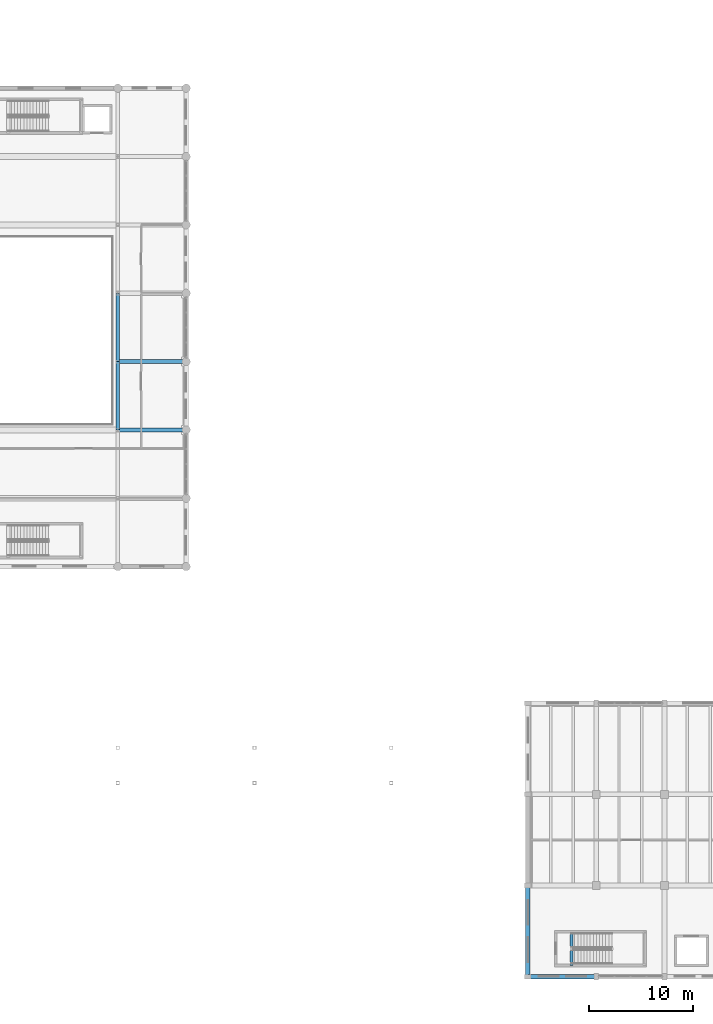
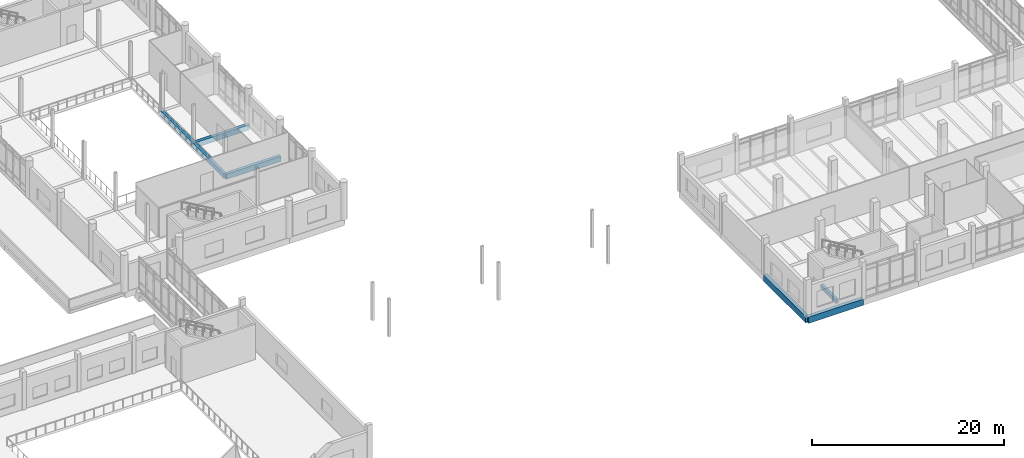
# One storey, part 21 of 125: 7 beams.
"""IFC4 building model written with IfcOpenShell, lengths in metres."""

from ifc_helpers import new_model, si_unit, direction, frame, origin, origin_2d, place, context, subcontext, project, spatial, rectangle, extrude, material, material_profile, profile_set, type_object, element, save


model = new_model("IFC4")

# Units and contexts
model_context = context("Model", 3, precision=1e-05, world=origin(), true_north=direction((0.0, 1.0)))
body_context = subcontext(model_context, "Body", "Model", "MODEL_VIEW")
ifc_project = project(units=[si_unit("LENGTHUNIT", "METRE"), si_unit("AREAUNIT", "SQUARE_METRE"), si_unit("VOLUMEUNIT", "CUBIC_METRE"), si_unit("PLANEANGLEUNIT", "RADIAN"), si_unit("MASSUNIT", "GRAM", prefix="KILO")], contexts=[model_context])

# Site, building, storey
site_placement = place(None, origin())
site = spatial("IfcSite", under=ifc_project, at=site_placement, CompositionType="ELEMENT")
building_placement = place(site_placement, origin())
building = spatial("IfcBuilding", under=site, at=building_placement, Name="Dornvale Research Institute", CompositionType="ELEMENT")
storey_placement = place(building_placement, frame((0.0, 0.0, 5.39990234375)))
storey = spatial("IfcBuildingStorey", under=building, at=storey_placement, Name="L01", CompositionType="ELEMENT", Elevation=5.39990234375)

# Beams
ifc_material_1 = material(Name="Concrete f'c 45 MPa (C35/45)", Category="concrete")
ifc_material_profile_1 = material_profile(ifc_material_1, rectangle(XDim=0.300048828125, YDim=0.5, at=origin_2d()), Name="RC 300x500")
ifc_profile_set_1 = profile_set([ifc_material_profile_1], Name="Concrete f'c 45 MPa (C35/45)")
beam_type_1 = type_object("IfcBeamType", Name="Beam_RC300x500_Trim", PredefinedType="BEAM", material=ifc_profile_set_1)
beam_1_placement = place(storey_placement, frame((103.219970703125, 1.080078125, -0.25), z_axis=(0.0, 1.0, 0.0), x_axis=(-1.0, 0.0, 0.0)))
element("IfcBeam", 1, at=beam_1_placement, inside=storey, type_object=beam_type_1, Name="L01 ST-5 stair landing trimmer beam #78", PredefinedType="BEAM", context=body_context, shape_type="SweptSolid", body=[
    extrude(rectangle(XDim=0.300048828125, YDim=0.5, at=origin_2d()), origin(), (0.0, 0.0, 1.0), 3.239990234375),
])
ifc_material_2 = material(Name="Concrete f'c 45 MPa (C35/45)", Category="concrete")
ifc_material_profile_2 = material_profile(ifc_material_2, rectangle(XDim=0.35009765625, YDim=0.60009765625, at=origin_2d()), Name="RC 350x600")
ifc_profile_set_2 = profile_set([ifc_material_profile_2], Name="Concrete f'c 45 MPa (C35/45)")
beam_type_2 = type_object("IfcBeamType", Name="Beam_RC350x600_Floor", PredefinedType="BEAM", material=ifc_profile_set_2)
beam_2_placement = place(storey_placement, frame((59.39990234375, 52.800048828125, -0.2998046875), z_axis=(0.0, 1.0, 0.0), x_axis=(-1.0, 0.0, 0.0)))
element("IfcBeam", 2, at=beam_2_placement, inside=storey, type_object=beam_type_2, Name="L01 transverse girder #540", PredefinedType="BEAM", context=body_context, shape_type="SweptSolid", body=[
    extrude(rectangle(XDim=0.35009765625, YDim=0.60009765625, at=origin_2d()), origin(), (0.0, 0.0, 1.0), 6.599853515625),
])
beam_3_placement = place(storey_placement, frame((59.39990234375, 59.39990234375, -0.2998046875), z_axis=(0.0, 1.0, 0.0), x_axis=(-1.0, 0.0, 0.0)))
element("IfcBeam", 3, at=beam_3_placement, inside=storey, type_object=beam_type_2, Name="L01 transverse girder #541", PredefinedType="BEAM", context=body_context, shape_type="SweptSolid", body=[
    extrude(rectangle(XDim=0.35009765625, YDim=0.60009765625, at=origin_2d()), origin(), (0.0, 0.0, 1.0), 6.60009765625),
])
ifc_material_3 = material(Name="Concrete f'c 45 MPa (C35/45)", Category="concrete")
ifc_material_profile_3 = material_profile(ifc_material_3, rectangle(XDim=0.39990234375, YDim=0.64990234375, at=origin_2d()), Name="RC 400x650")
ifc_profile_set_3 = profile_set([ifc_material_profile_3], Name="Concrete f'c 45 MPa (C35/45)")
beam_type_3 = type_object("IfcBeamType", Name="Beam_RC400x650_Floor", PredefinedType="BEAM", material=ifc_profile_set_3)
for number, where, z_axis, x_axis, name in (
    (4, (59.39990234375, 52.800048828125, -0.324951171875), (1.0, 0.0, 0.0), (0.0, 1.0, 0.0), "L01 primary girder #510"),
    (5, (59.39990234375, 59.39990234375, -0.324951171875), (1.0, 0.0, 0.0), (0.0, 1.0, 0.0), "L01 primary girder #512"),
):
    element("IfcBeam", number, at=place(storey_placement, frame(where, z_axis=z_axis, x_axis=x_axis)), inside=storey, type_object=beam_type_3, Name=name, PredefinedType="BEAM", context=body_context, shape_type="SweptSolid", body=[
        extrude(rectangle(XDim=0.39990234375, YDim=0.64990234375, at=origin_2d()), origin(), (0.0, 0.0, 1.0), 6.60009765625),
    ])
ifc_material_4 = material(Name="Concrete f'c 45 MPa (C35/45)", Category="concrete")
ifc_material_profile_4 = material_profile(ifc_material_4, rectangle(XDim=0.449951171875, YDim=0.800048828125, at=origin_2d()), Name="RC 450x800")
ifc_profile_set_4 = profile_set([ifc_material_profile_4], Name="Concrete f'c 45 MPa (C35/45)")
beam_type_4 = type_object("IfcBeamType", Name="Spandrel_RC450x800_Ext", PredefinedType="SPANDREL", material=ifc_profile_set_4)
beam_4_placement = place(storey_placement, frame((99.0, 0.0, -0.39990234375), z_axis=(1.0, 0.0, 0.0), x_axis=(0.0, 1.0, 0.0)))
element("IfcBeam", 6, at=beam_4_placement, inside=storey, type_object=beam_type_4, Name="L01 perimeter spandrel #417", PredefinedType="SPANDREL", context=body_context, shape_type="SweptSolid", body=[
    extrude(rectangle(XDim=0.449951171875, YDim=0.800048828125, at=origin_2d()), origin(), (0.0, 0.0, 1.0), 6.60009765625),
])
beam_5_placement = place(storey_placement, frame((99.0, 0.0, -0.39990234375), z_axis=(0.0, 1.0, 0.0), x_axis=(-1.0, 0.0, 0.0)))
element("IfcBeam", 7, at=beam_5_placement, inside=storey, type_object=beam_type_4, Name="L01 perimeter spandrel #465", PredefinedType="SPANDREL", context=body_context, shape_type="SweptSolid", body=[
    extrude(rectangle(XDim=0.449951171875, YDim=0.800048828125, at=origin_2d()), origin(), (0.0, 0.0, 1.0), 8.800048828125),
])

save(model, "model.ifc")
